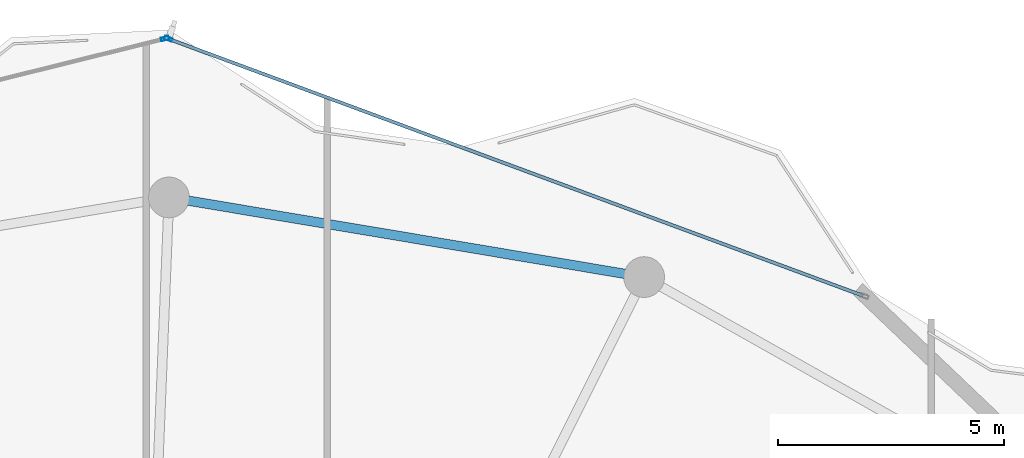
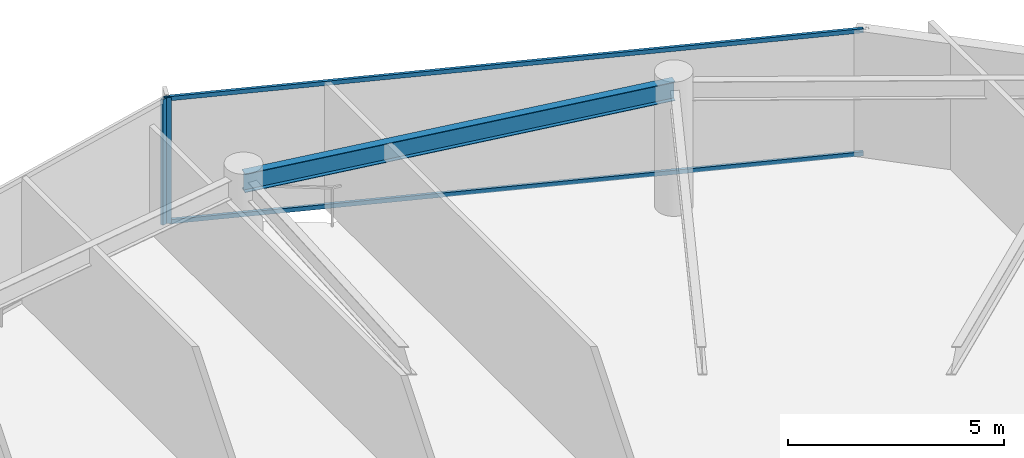
# One storey, part 21 of 29: 4 members, 1 beam, 2 elements without a shape of their own.
"""IFC4 building model written with IfcOpenShell, lengths in metres."""

from ifc_helpers import new_model, si_unit, direction, frame, origin, origin_2d, place, context, subcontext, project, spatial, hollow_rectangle, i_section, extrude, material, layer, layer_set, material_profile, profile_set, type_object, element, aggregate, save


model = new_model("IFC4")

# Units and contexts
model_context = context("Model", 3, precision=1e-05, world=origin(), true_north=direction((0.0, 1.0)))
body_context = subcontext(model_context, "Body", "Model", "MODEL_VIEW")
ifc_project = project(units=[si_unit("LENGTHUNIT", "METRE"), si_unit("AREAUNIT", "SQUARE_METRE"), si_unit("VOLUMEUNIT", "CUBIC_METRE"), si_unit("PLANEANGLEUNIT", "RADIAN"), si_unit("MASSUNIT", "GRAM", prefix="KILO")], contexts=[model_context])

# Site, building, storey
site_placement = place(None, origin())
site = spatial("IfcSite", under=ifc_project, at=site_placement, CompositionType="ELEMENT")
building_placement = place(site_placement, origin())
building = spatial("IfcBuilding", under=site, at=building_placement, Name="Kazevale Care Tower and Concert Hall", CompositionType="ELEMENT")
storey_placement = place(building_placement, frame((0.0, 0.0, 281.39990234375)))
storey = spatial("IfcBuildingStorey", under=building, at=storey_placement, Name="L74", CompositionType="ELEMENT", Elevation=281.39990234375)

# Curtain wall, members
ifc_material_1 = material(Name="Aluminium 6063-T6 and Low-E Glass", Category="aluminium")
ifc_layer_1 = layer(ifc_material_1, 0.179931640625)
ifc_layer_set_1 = layer_set([ifc_layer_1], Name="Aluminium 6063-T6 and Low-E Glass")
curtain_wall_type_1 = type_object("IfcCurtainWallType", Name="Convex Checkerboard Finned Curtain Wall CW-2", PredefinedType="NOTDEFINED", material=ifc_layer_set_1)
curtain_wall_1_placement = place(storey_placement, origin())
curtain_wall_1 = element("IfcCurtainWall", 1, at=curtain_wall_1_placement, inside=storey, type_object=curtain_wall_type_1, Name="cw:L74:f16", PredefinedType="NOTDEFINED")
ifc_material_2 = material(Name="Aluminium 6063-T6", Category="aluminium")
ifc_material_profile_1 = material_profile(ifc_material_2, hollow_rectangle(XDim=0.080078125, YDim=0.179931640625, WallThickness=0.0048828125, at=origin_2d()), Name="ALU80x180x5")
ifc_profile_set_1 = profile_set([ifc_material_profile_1], Name="Aluminium 6063-T6")
member_type_1 = type_object("IfcMemberType", Name="CW-2 Mullion ALU80x180x5", PredefinedType="MULLION", material=ifc_profile_set_1)
member_1_placement = place(storey_placement, frame((44.988525390625, 64.653076171875, 0.0), z_axis=(0.0, 0.0, 1.0), x_axis=(0.346863695471, 0.937915548844, 0.0)))
member_1 = element("IfcMember", 2, at=member_1_placement, type_object=member_type_1, Name="CW-2 mullion 1", PredefinedType="MULLION", context=body_context, shape_type="SweptSolid", body=[
    extrude(hollow_rectangle(XDim=0.080078125, YDim=0.179931640625, WallThickness=0.0048828125, at=origin_2d()), origin(), (0.0, 0.0, 1.0), 3.56005859375),
])
ifc_material_profile_2 = material_profile(ifc_material_2, hollow_rectangle(XDim=0.074951171875, YDim=0.1201171875, WallThickness=0.00390625, at=origin_2d()), Name="ALU75x120x4")
ifc_profile_set_2 = profile_set([ifc_material_profile_2], Name="Aluminium 6063-T6")
member_type_2 = type_object("IfcMemberType", Name="CW-2 Transom ALU75x120x4", PredefinedType="USERDEFINED", material=ifc_profile_set_2)
member_2_placement = place(storey_placement, frame((45.026123046875, 64.63916015625, 0.03759765625), z_axis=(0.937917384062, -0.346858733024, 0.0), x_axis=(0.346858733024, 0.937917384062, 0.0)))
member_2 = element("IfcMember", 3, at=member_2_placement, type_object=member_type_2, Name="CW-2 transom 1.1", ObjectType="TRANSOM", PredefinedType="USERDEFINED", context=body_context, shape_type="SweptSolid", body=[
    extrude(hollow_rectangle(XDim=0.074951171875, YDim=0.1201171875, WallThickness=0.00390625, at=origin_2d()), origin(), (0.0, 0.0, 1.0), 16.319091796875),
])
member_3_placement = place(storey_placement, frame((45.026123046875, 64.63916015625, 3.522705078125), z_axis=(0.937917384062, -0.346858733024, 0.0), x_axis=(0.346858733024, 0.937917384062, 0.0)))
member_3 = element("IfcMember", 4, at=member_3_placement, type_object=member_type_2, Name="CW-2 transom 1.2", ObjectType="TRANSOM", PredefinedType="USERDEFINED", context=body_context, shape_type="SweptSolid", body=[
    extrude(hollow_rectangle(XDim=0.074951171875, YDim=0.1201171875, WallThickness=0.00390625, at=origin_2d()), origin(), (0.0, 0.0, 1.0), 16.319091796875),
])
aggregate(curtain_wall_1, [member_1, member_2, member_3])

# Curtain wall, member
ifc_layer_2 = layer(ifc_material_1, 0.179931640625)
ifc_layer_set_2 = layer_set([ifc_layer_2], Name="Aluminium 6063-T6 and Low-E Glass")
curtain_wall_type_2 = type_object("IfcCurtainWallType", Name="Waist & Upper Residential Curtain Wall CW-4", PredefinedType="NOTDEFINED", material=ifc_layer_set_2)
curtain_wall_2_placement = place(storey_placement, origin())
curtain_wall_2 = element("IfcCurtainWall", 5, at=curtain_wall_2_placement, inside=storey, type_object=curtain_wall_type_2, Name="cw:L74:f15", PredefinedType="NOTDEFINED")
ifc_material_profile_3 = material_profile(ifc_material_2, hollow_rectangle(XDim=0.080078125, YDim=0.179931640625, WallThickness=0.0048828125, at=origin_2d()), Name="ALU80x180x5")
ifc_profile_set_3 = profile_set([ifc_material_profile_3], Name="Aluminium 6063-T6")
member_type_3 = type_object("IfcMemberType", Name="CW-4 Mullion ALU80x180x5", PredefinedType="MULLION", material=ifc_profile_set_3)
member_4_placement = place(storey_placement, frame((44.912109375, 64.657470703125, 0.0), z_axis=(0.0, 0.0, 1.0), x_axis=(-0.240891158711, 0.970552136495, 0.0)))
member_4 = element("IfcMember", 6, at=member_4_placement, type_object=member_type_3, Name="CW-4 mullion 2", PredefinedType="MULLION", context=body_context, shape_type="SweptSolid", body=[
    extrude(hollow_rectangle(XDim=0.080078125, YDim=0.179931640625, WallThickness=0.0048828125, at=origin_2d()), origin(), (0.0, 0.0, 1.0), 3.56005859375),
])
aggregate(curtain_wall_2, [member_4])

# Beam
ifc_material_3 = material(Name="Steel ASTM A572 Gr 50", Category="steel")
ifc_material_profile_4 = material_profile(ifc_material_3, i_section(OverallWidth=0.208984375, OverallDepth=0.532958984375, WebThickness=0.01025390625, FlangeThickness=0.015625, at=origin_2d()), Name="W530x92")
ifc_profile_set_4 = profile_set([ifc_material_profile_4], Name="Steel ASTM A572 Gr 50")
beam_type = type_object("IfcBeamType", Name="Upper Ring Beam W530x92", PredefinedType="BEAM", material=ifc_profile_set_4)
beam_placement = place(storey_placement, frame((55.5, 59.389892578125, 3.293701171875), z_axis=(-0.986241035683, 0.165313700387, 0.0), x_axis=(-0.165313700387, -0.986241035683, 0.0)))
element("IfcBeam", 7, at=beam_placement, inside=storey, type_object=beam_type, Name="beam:L74:ring:04", PredefinedType="BEAM", context=body_context, shape_type="SweptSolid", body=[
    extrude(i_section(OverallWidth=0.208984375, OverallDepth=0.532958984375, WebThickness=0.01025390625, FlangeThickness=0.015625, at=origin_2d()), origin(), (0.0, 0.0, 1.0), 10.646484375),
])

save(model, "model.ifc")
